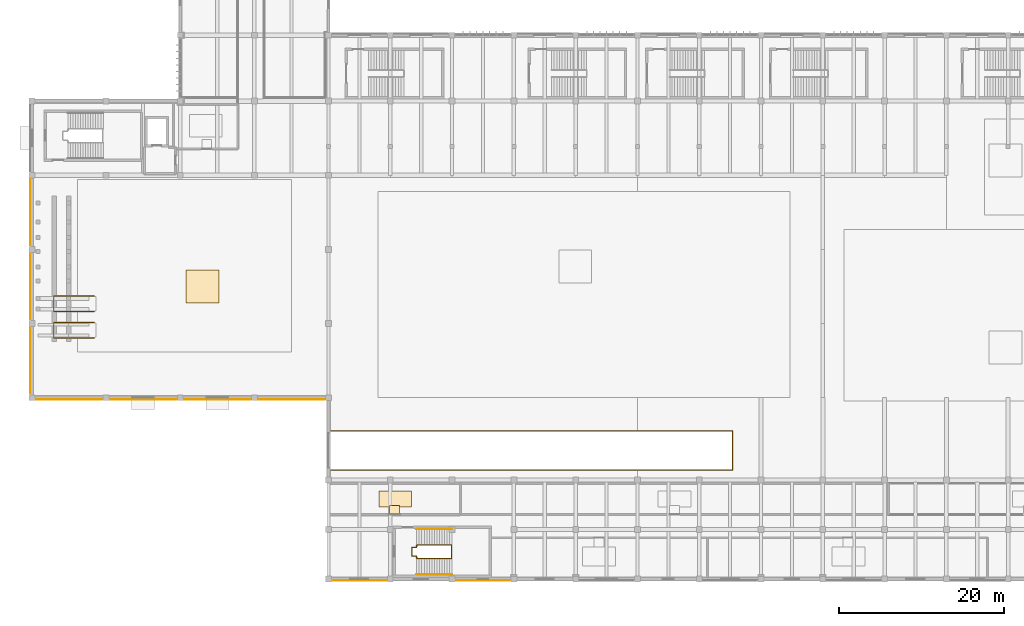
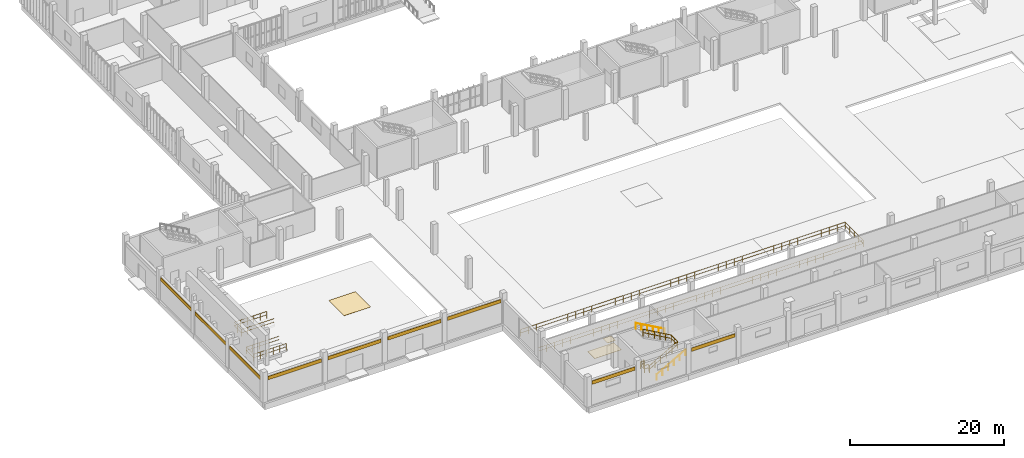
# One storey, part 60 of 72: 12 coverings, 7 railings.
"""IFC4 building model written with IfcOpenShell, lengths in metres."""

from ifc_helpers import new_model, si_unit, direction, frame, origin, origin_2d, place, context, subcontext, project, spatial, rectangle, circle, extrude, material, layer, layer_set, type_object, element, save


model = new_model("IFC4")

# Units and contexts
model_context = context("Model", 3, precision=1e-05, world=origin(), true_north=direction((0.0, 1.0)))
body_context = subcontext(model_context, "Body", "Model", "MODEL_VIEW")
ifc_project = project(units=[si_unit("LENGTHUNIT", "METRE"), si_unit("AREAUNIT", "SQUARE_METRE"), si_unit("VOLUMEUNIT", "CUBIC_METRE"), si_unit("PLANEANGLEUNIT", "RADIAN"), si_unit("MASSUNIT", "GRAM", prefix="KILO")], contexts=[model_context])

# Site, building, storey
site_placement = place(None, origin())
site = spatial("IfcSite", under=ifc_project, at=site_placement, CompositionType="ELEMENT")
building_placement = place(site_placement, origin())
building = spatial("IfcBuilding", under=site, at=building_placement, Name="Vourika Railside Aquatics Centre", CompositionType="ELEMENT")
storey_placement = place(building_placement, origin())
storey = spatial("IfcBuildingStorey", under=building, at=storey_placement, Name="L00", CompositionType="ELEMENT", Elevation=0.0)

# Coverings
ifc_material_1 = material(Name="Perforated moisture-resistant acoustic gypsum ceiling")
ifc_layer_1 = layer(ifc_material_1, 0.02490234375, Name="COV-CEIL-25")
ifc_layer_set_1 = layer_set([ifc_layer_1], Name="Perforated moisture-resistant acoustic gypsum ceiling")
covering_type_1 = type_object("IfcCoveringType", Name="COV-CEIL-25", PredefinedType="CEILING", material=ifc_layer_set_1)
covering_1_placement = place(storey_placement, frame((44.0224609375, 8.320068359375, 2.637451171875), z_axis=(0.0, 0.0, 1.0), x_axis=(1.0, 0.0, 0.0)))
element("IfcCovering", 1, at=covering_1_placement, inside=storey, type_object=covering_type_1, Name="Lifeguard Station and Pool Equipment Store Acoustic Ceiling Panel", PredefinedType="CEILING", context=body_context, shape_type="SweptSolid", body=[
    extrude(rectangle(XDim=1.199951171875, YDim=1.199951171875, at=origin_2d()), origin(), (0.0, 0.0, 1.0), 0.02490234375),
])
ifc_material_2 = material(Name="Bronze-anodized aluminium rainscreen", Category="aluminium")
ifc_layer_2 = layer(ifc_material_2, 0.044921875, Name="COV-CLAD-45")
ifc_layer_set_2 = layer_set([ifc_layer_2], Name="Bronze-anodized aluminium rainscreen")
covering_type_2 = type_object("IfcCoveringType", Name="COV-CLAD-45", PredefinedType="CLADDING", material=ifc_layer_set_2)
for number, where, z_axis, x_axis, name in (
    (2, (-0.2099609375, 26.5, 3.10498046875), (0.0, 0.0, 1.0), (0.0, -1.0, 0.0), "Perforated Bronze Rainscreen Band CL-009"),
    (3, (-0.2099609375, 35.5, 3.10498046875), (0.0, 0.0, 1.0), (0.0, -1.0, 0.0), "Perforated Bronze Rainscreen Band CL-010"),
    (4, (-0.2099609375, 44.5, 3.10498046875), (0.0, 0.0, 1.0), (0.0, -1.0, 0.0), "Perforated Bronze Rainscreen Band CL-011"),
    (5, (4.5, 21.7900390625, 3.30517578125), (0.0, 0.0, 1.0), (1.0, 0.0, 0.0), "Perforated Bronze Rainscreen Band CL-013"),
    (6, (13.5, 21.7900390625, 3.30517578125), (0.0, 0.0, 1.0), (1.0, 0.0, 0.0), "Perforated Bronze Rainscreen Band CL-014"),
    (7, (22.5, 21.7900390625, 3.30517578125), (0.0, 0.0, 1.0), (1.0, 0.0, 0.0), "Perforated Bronze Rainscreen Band CL-015"),
    (8, (31.5, 21.7900390625, 3.30517578125), (0.0, 0.0, 1.0), (1.0, 0.0, 0.0), "Perforated Bronze Rainscreen Band CL-016"),
):
    element("IfcCovering", number, at=place(storey_placement, frame(where, z_axis=z_axis, x_axis=x_axis)), inside=storey, type_object=covering_type_2, Name=name, PredefinedType="CLADDING", context=body_context, shape_type="SweptSolid", body=[
        extrude(rectangle(XDim=8.0, YDim=0.044921875, at=origin_2d()), origin(), (0.0, 0.0, 1.0), 0.550048828125),
    ])
for number, where, z_axis, x_axis, name in (
    (9, (39.75, -0.18994140625, 3.30517578125), (0.0, 0.0, 1.0), (1.0, 0.0, 0.0), "Perforated Bronze Rainscreen Band CL-024"),
    (10, (54.75, -0.18994140625, 3.30517578125), (0.0, 0.0, 1.0), (1.0, 0.0, 0.0), "Perforated Bronze Rainscreen Band CL-025"),
):
    element("IfcCovering", number, at=place(storey_placement, frame(where, z_axis=z_axis, x_axis=x_axis)), inside=storey, type_object=covering_type_2, Name=name, PredefinedType="CLADDING", context=body_context, shape_type="SweptSolid", body=[
        extrude(rectangle(XDim=6.5, YDim=0.044921875, at=origin_2d()), origin(), (0.0, 0.0, 1.0), 0.550048828125),
    ])
ifc_material_3 = material(Name="Slip-resistant aqua ceramic sports flooring")
ifc_layer_3 = layer(ifc_material_3, 0.02001953125, Name="COV-FLOR-20")
ifc_layer_set_3 = layer_set([ifc_layer_3], Name="Slip-resistant aqua ceramic sports flooring")
covering_type_3 = type_object("IfcCoveringType", Name="COV-FLOR-20", PredefinedType="FLOORING", material=ifc_layer_set_3)
covering_2_placement = place(storey_placement, frame((20.699951171875, 35.5, 0.0), z_axis=(0.0, 0.0, 1.0), x_axis=(1.0, 0.0, 0.0)))
element("IfcCovering", 11, at=covering_2_placement, inside=storey, type_object=covering_type_3, Name="25 m Diving Well Hall Sports Flooring Panel", PredefinedType="FLOORING", context=body_context, shape_type="SweptSolid", body=[
    extrude(rectangle(XDim=4.0, YDim=4.0, at=origin_2d()), origin(), (0.0, 0.0, 1.0), 0.02001953125),
])
covering_3_placement = place(storey_placement, frame((44.10009765625, 9.699951171875, 0.0), z_axis=(0.0, 0.0, 1.0), x_axis=(1.0, 0.0, 0.0)))
element("IfcCovering", 12, at=covering_3_placement, inside=storey, type_object=covering_type_3, Name="Lifeguard Station and Pool Equipment Store Sports Flooring Panel", PredefinedType="FLOORING", context=body_context, shape_type="SweptSolid", body=[
    extrude(rectangle(XDim=4.0, YDim=1.89990234375, at=origin_2d()), origin(), (0.0, 0.0, 1.0), 0.02001953125),
])

# Railings
ifc_material_4 = material(Name="Duplex stainless steel EN 1.4462", Category="steel")
railing_type_1 = type_object("IfcRailingType", Name="RL-BAL-STL", PredefinedType="BALUSTRADE", material=ifc_material_4)
railing_1_placement = place(storey_placement, frame((36.219970703125, 13.239990234375, 0.0)))
element("IfcRailing", 13, at=railing_1_placement, inside=storey, type_object=railing_type_1, Name="Service Ramp Deck Opening Guard", PredefinedType="BALUSTRADE", context=body_context, shape_type="SweptSolid", body=[
    extrude(circle(Radius=0.02392578125, at=origin_2d()), frame((0.0, 0.0, 1.09619140625), z_axis=(1.0, 0.0, 0.0), x_axis=(0.0, 1.0, 0.0)), (0.0, 0.0, 1.0), 48.840087890625),
    extrude(circle(Radius=0.02392578125, at=origin_2d()), frame((0.0, 0.0, 0.56005859375), z_axis=(1.0, 0.0, 0.0), x_axis=(0.0, 1.0, 0.0)), (0.0, 0.0, 1.0), 48.840087890625),
    extrude(circle(Radius=0.02392578125, at=origin_2d()), frame((48.840087890625, 0.0, 1.09619140625), z_axis=(0.0, 1.0, 0.0), x_axis=(-1.0, 0.0, 0.0)), (0.0, 0.0, 1.0), 4.719970703125),
    extrude(circle(Radius=0.02392578125, at=origin_2d()), frame((48.840087890625, 0.0, 0.56005859375), z_axis=(0.0, 1.0, 0.0), x_axis=(-1.0, 0.0, 0.0)), (0.0, 0.0, 1.0), 4.719970703125),
    extrude(circle(Radius=0.02392578125, at=origin_2d()), frame((48.840087890625, 4.719970703125, 1.09619140625), z_axis=(-1.0, 0.0, 0.0), x_axis=(0.0, -1.0, 0.0)), (0.0, 0.0, 1.0), 48.840087890625),
    extrude(circle(Radius=0.02392578125, at=origin_2d()), frame((48.840087890625, 4.719970703125, 0.56005859375), z_axis=(-1.0, 0.0, 0.0), x_axis=(0.0, -1.0, 0.0)), (0.0, 0.0, 1.0), 48.840087890625),
    extrude(circle(Radius=0.02099609375, at=origin_2d()), origin(), (0.0, 0.0, 1.0), 1.072021484375),
    extrude(circle(Radius=0.02099609375, at=origin_2d()), frame((1.191162109375, 0.0, 0.0)), (0.0, 0.0, 1.0), 1.072021484375),
    extrude(circle(Radius=0.02099609375, at=origin_2d()), frame((2.38232421875, 0.0, 0.0)), (0.0, 0.0, 1.0), 1.072021484375),
    extrude(circle(Radius=0.02099609375, at=origin_2d()), frame((3.57373046875, 0.0, 0.0)), (0.0, 0.0, 1.0), 1.072021484375),
    extrude(circle(Radius=0.02099609375, at=origin_2d()), frame((4.764892578125, 0.0, 0.0)), (0.0, 0.0, 1.0), 1.072021484375),
    extrude(circle(Radius=0.02099609375, at=origin_2d()), frame((5.9560546875, 0.0, 0.0)), (0.0, 0.0, 1.0), 1.072021484375),
    extrude(circle(Radius=0.02099609375, at=origin_2d()), frame((7.147216796875, 0.0, 0.0)), (0.0, 0.0, 1.0), 1.072021484375),
    extrude(circle(Radius=0.02099609375, at=origin_2d()), frame((8.338623046875, 0.0, 0.0)), (0.0, 0.0, 1.0), 1.072021484375),
    extrude(circle(Radius=0.02099609375, at=origin_2d()), frame((9.52978515625, 0.0, 0.0)), (0.0, 0.0, 1.0), 1.072021484375),
    extrude(circle(Radius=0.02099609375, at=origin_2d()), frame((10.720947265625, 0.0, 0.0)), (0.0, 0.0, 1.0), 1.072021484375),
    extrude(circle(Radius=0.02099609375, at=origin_2d()), frame((11.912109375, 0.0, 0.0)), (0.0, 0.0, 1.0), 1.072021484375),
    extrude(circle(Radius=0.02099609375, at=origin_2d()), frame((13.103515625, 0.0, 0.0)), (0.0, 0.0, 1.0), 1.072021484375),
    extrude(circle(Radius=0.02099609375, at=origin_2d()), frame((14.294677734375, 0.0, 0.0)), (0.0, 0.0, 1.0), 1.072021484375),
    extrude(circle(Radius=0.02099609375, at=origin_2d()), frame((15.48583984375, 0.0, 0.0)), (0.0, 0.0, 1.0), 1.072021484375),
    extrude(circle(Radius=0.02099609375, at=origin_2d()), frame((16.677001953125, 0.0, 0.0)), (0.0, 0.0, 1.0), 1.072021484375),
    extrude(circle(Radius=0.02099609375, at=origin_2d()), frame((17.868408203125, 0.0, 0.0)), (0.0, 0.0, 1.0), 1.072021484375),
    extrude(circle(Radius=0.02099609375, at=origin_2d()), frame((19.0595703125, 0.0, 0.0)), (0.0, 0.0, 1.0), 1.072021484375),
    extrude(circle(Radius=0.02099609375, at=origin_2d()), frame((20.250732421875, 0.0, 0.0)), (0.0, 0.0, 1.0), 1.072021484375),
    extrude(circle(Radius=0.02099609375, at=origin_2d()), frame((21.44189453125, 0.0, 0.0)), (0.0, 0.0, 1.0), 1.072021484375),
    extrude(circle(Radius=0.02099609375, at=origin_2d()), frame((22.63330078125, 0.0, 0.0)), (0.0, 0.0, 1.0), 1.072021484375),
    extrude(circle(Radius=0.02099609375, at=origin_2d()), frame((23.824462890625, 0.0, 0.0)), (0.0, 0.0, 1.0), 1.072021484375),
    extrude(circle(Radius=0.02099609375, at=origin_2d()), frame((25.015625, 0.0, 0.0)), (0.0, 0.0, 1.0), 1.072021484375),
    extrude(circle(Radius=0.02099609375, at=origin_2d()), frame((26.206787109375, 0.0, 0.0)), (0.0, 0.0, 1.0), 1.072021484375),
    extrude(circle(Radius=0.02099609375, at=origin_2d()), frame((27.398193359375, 0.0, 0.0)), (0.0, 0.0, 1.0), 1.072021484375),
    extrude(circle(Radius=0.02099609375, at=origin_2d()), frame((28.58935546875, 0.0, 0.0)), (0.0, 0.0, 1.0), 1.072021484375),
    extrude(circle(Radius=0.02099609375, at=origin_2d()), frame((29.780517578125, 0.0, 0.0)), (0.0, 0.0, 1.0), 1.072021484375),
    extrude(circle(Radius=0.02099609375, at=origin_2d()), frame((30.9716796875, 0.0, 0.0)), (0.0, 0.0, 1.0), 1.072021484375),
    extrude(circle(Radius=0.02099609375, at=origin_2d()), frame((32.1630859375, 0.0, 0.0)), (0.0, 0.0, 1.0), 1.072021484375),
    extrude(circle(Radius=0.02099609375, at=origin_2d()), frame((33.354248046875, 0.0, 0.0)), (0.0, 0.0, 1.0), 1.072021484375),
    extrude(circle(Radius=0.02099609375, at=origin_2d()), frame((34.54541015625, 0.0, 0.0)), (0.0, 0.0, 1.0), 1.072021484375),
    extrude(circle(Radius=0.02099609375, at=origin_2d()), frame((35.736572265625, 0.0, 0.0)), (0.0, 0.0, 1.0), 1.072021484375),
    extrude(circle(Radius=0.02099609375, at=origin_2d()), frame((36.927978515625, 0.0, 0.0)), (0.0, 0.0, 1.0), 1.072021484375),
    extrude(circle(Radius=0.02099609375, at=origin_2d()), frame((38.119140625, 0.0, 0.0)), (0.0, 0.0, 1.0), 1.072021484375),
    extrude(circle(Radius=0.02099609375, at=origin_2d()), frame((39.310302734375, 0.0, 0.0)), (0.0, 0.0, 1.0), 1.072021484375),
    extrude(circle(Radius=0.02099609375, at=origin_2d()), frame((40.50146484375, 0.0, 0.0)), (0.0, 0.0, 1.0), 1.072021484375),
    extrude(circle(Radius=0.02099609375, at=origin_2d()), frame((41.69287109375, 0.0, 0.0)), (0.0, 0.0, 1.0), 1.072021484375),
    extrude(circle(Radius=0.02099609375, at=origin_2d()), frame((42.884033203125, 0.0, 0.0)), (0.0, 0.0, 1.0), 1.072021484375),
    extrude(circle(Radius=0.02099609375, at=origin_2d()), frame((44.0751953125, 0.0, 0.0)), (0.0, 0.0, 1.0), 1.072021484375),
    extrude(circle(Radius=0.02099609375, at=origin_2d()), frame((45.266357421875, 0.0, 0.0)), (0.0, 0.0, 1.0), 1.072021484375),
    extrude(circle(Radius=0.02099609375, at=origin_2d()), frame((46.457763671875, 0.0, 0.0)), (0.0, 0.0, 1.0), 1.072021484375),
    extrude(circle(Radius=0.02099609375, at=origin_2d()), frame((47.64892578125, 0.0, 0.0)), (0.0, 0.0, 1.0), 1.072021484375),
    extrude(circle(Radius=0.02099609375, at=origin_2d()), frame((48.840087890625, 0.0, 0.0)), (0.0, 0.0, 1.0), 1.072021484375),
    extrude(circle(Radius=0.02099609375, at=origin_2d()), frame((48.840087890625, 1.179931640625, 0.0)), (0.0, 0.0, 1.0), 1.072021484375),
    extrude(circle(Radius=0.02099609375, at=origin_2d()), frame((48.840087890625, 2.35986328125, 0.0)), (0.0, 0.0, 1.0), 1.072021484375),
    extrude(circle(Radius=0.02099609375, at=origin_2d()), frame((48.840087890625, 3.5400390625, 0.0)), (0.0, 0.0, 1.0), 1.072021484375),
    extrude(circle(Radius=0.02099609375, at=origin_2d()), frame((48.840087890625, 4.719970703125, 0.0)), (0.0, 0.0, 1.0), 1.072021484375),
    extrude(circle(Radius=0.02099609375, at=origin_2d()), frame((47.64892578125, 4.719970703125, 0.0)), (0.0, 0.0, 1.0), 1.072021484375),
    extrude(circle(Radius=0.02099609375, at=origin_2d()), frame((46.457763671875, 4.719970703125, 0.0)), (0.0, 0.0, 1.0), 1.072021484375),
    extrude(circle(Radius=0.02099609375, at=origin_2d()), frame((45.266357421875, 4.719970703125, 0.0)), (0.0, 0.0, 1.0), 1.072021484375),
    extrude(circle(Radius=0.02099609375, at=origin_2d()), frame((44.0751953125, 4.719970703125, 0.0)), (0.0, 0.0, 1.0), 1.072021484375),
    extrude(circle(Radius=0.02099609375, at=origin_2d()), frame((42.884033203125, 4.719970703125, 0.0)), (0.0, 0.0, 1.0), 1.072021484375),
    extrude(circle(Radius=0.02099609375, at=origin_2d()), frame((41.69287109375, 4.719970703125, 0.0)), (0.0, 0.0, 1.0), 1.072021484375),
    extrude(circle(Radius=0.02099609375, at=origin_2d()), frame((40.50146484375, 4.719970703125, 0.0)), (0.0, 0.0, 1.0), 1.072021484375),
    extrude(circle(Radius=0.02099609375, at=origin_2d()), frame((39.310302734375, 4.719970703125, 0.0)), (0.0, 0.0, 1.0), 1.072021484375),
    extrude(circle(Radius=0.02099609375, at=origin_2d()), frame((38.119140625, 4.719970703125, 0.0)), (0.0, 0.0, 1.0), 1.072021484375),
    extrude(circle(Radius=0.02099609375, at=origin_2d()), frame((36.927978515625, 4.719970703125, 0.0)), (0.0, 0.0, 1.0), 1.072021484375),
    extrude(circle(Radius=0.02099609375, at=origin_2d()), frame((35.736572265625, 4.719970703125, 0.0)), (0.0, 0.0, 1.0), 1.072021484375),
    extrude(circle(Radius=0.02099609375, at=origin_2d()), frame((34.54541015625, 4.719970703125, 0.0)), (0.0, 0.0, 1.0), 1.072021484375),
    extrude(circle(Radius=0.02099609375, at=origin_2d()), frame((33.354248046875, 4.719970703125, 0.0)), (0.0, 0.0, 1.0), 1.072021484375),
    extrude(circle(Radius=0.02099609375, at=origin_2d()), frame((32.1630859375, 4.719970703125, 0.0)), (0.0, 0.0, 1.0), 1.072021484375),
    extrude(circle(Radius=0.02099609375, at=origin_2d()), frame((30.9716796875, 4.719970703125, 0.0)), (0.0, 0.0, 1.0), 1.072021484375),
    extrude(circle(Radius=0.02099609375, at=origin_2d()), frame((29.780517578125, 4.719970703125, 0.0)), (0.0, 0.0, 1.0), 1.072021484375),
    extrude(circle(Radius=0.02099609375, at=origin_2d()), frame((28.58935546875, 4.719970703125, 0.0)), (0.0, 0.0, 1.0), 1.072021484375),
    extrude(circle(Radius=0.02099609375, at=origin_2d()), frame((27.398193359375, 4.719970703125, 0.0)), (0.0, 0.0, 1.0), 1.072021484375),
    extrude(circle(Radius=0.02099609375, at=origin_2d()), frame((26.206787109375, 4.719970703125, 0.0)), (0.0, 0.0, 1.0), 1.072021484375),
    extrude(circle(Radius=0.02099609375, at=origin_2d()), frame((25.015625, 4.719970703125, 0.0)), (0.0, 0.0, 1.0), 1.072021484375),
    extrude(circle(Radius=0.02099609375, at=origin_2d()), frame((23.824462890625, 4.719970703125, 0.0)), (0.0, 0.0, 1.0), 1.072021484375),
    extrude(circle(Radius=0.02099609375, at=origin_2d()), frame((22.63330078125, 4.719970703125, 0.0)), (0.0, 0.0, 1.0), 1.072021484375),
    extrude(circle(Radius=0.02099609375, at=origin_2d()), frame((21.44189453125, 4.719970703125, 0.0)), (0.0, 0.0, 1.0), 1.072021484375),
    extrude(circle(Radius=0.02099609375, at=origin_2d()), frame((20.250732421875, 4.719970703125, 0.0)), (0.0, 0.0, 1.0), 1.072021484375),
    extrude(circle(Radius=0.02099609375, at=origin_2d()), frame((19.0595703125, 4.719970703125, 0.0)), (0.0, 0.0, 1.0), 1.072021484375),
    extrude(circle(Radius=0.02099609375, at=origin_2d()), frame((17.868408203125, 4.719970703125, 0.0)), (0.0, 0.0, 1.0), 1.072021484375),
    extrude(circle(Radius=0.02099609375, at=origin_2d()), frame((16.677001953125, 4.719970703125, 0.0)), (0.0, 0.0, 1.0), 1.072021484375),
    extrude(circle(Radius=0.02099609375, at=origin_2d()), frame((15.48583984375, 4.719970703125, 0.0)), (0.0, 0.0, 1.0), 1.072021484375),
    extrude(circle(Radius=0.02099609375, at=origin_2d()), frame((14.294677734375, 4.719970703125, 0.0)), (0.0, 0.0, 1.0), 1.072021484375),
    extrude(circle(Radius=0.02099609375, at=origin_2d()), frame((13.103515625, 4.719970703125, 0.0)), (0.0, 0.0, 1.0), 1.072021484375),
    extrude(circle(Radius=0.02099609375, at=origin_2d()), frame((11.912109375, 4.719970703125, 0.0)), (0.0, 0.0, 1.0), 1.072021484375),
    extrude(circle(Radius=0.02099609375, at=origin_2d()), frame((10.720947265625, 4.719970703125, 0.0)), (0.0, 0.0, 1.0), 1.072021484375),
    extrude(circle(Radius=0.02099609375, at=origin_2d()), frame((9.52978515625, 4.719970703125, 0.0)), (0.0, 0.0, 1.0), 1.072021484375),
    extrude(circle(Radius=0.02099609375, at=origin_2d()), frame((8.338623046875, 4.719970703125, 0.0)), (0.0, 0.0, 1.0), 1.072021484375),
    extrude(circle(Radius=0.02099609375, at=origin_2d()), frame((7.147216796875, 4.719970703125, 0.0)), (0.0, 0.0, 1.0), 1.072021484375),
    extrude(circle(Radius=0.02099609375, at=origin_2d()), frame((5.9560546875, 4.719970703125, 0.0)), (0.0, 0.0, 1.0), 1.072021484375),
    extrude(circle(Radius=0.02099609375, at=origin_2d()), frame((4.764892578125, 4.719970703125, 0.0)), (0.0, 0.0, 1.0), 1.072021484375),
    extrude(circle(Radius=0.02099609375, at=origin_2d()), frame((3.57373046875, 4.719970703125, 0.0)), (0.0, 0.0, 1.0), 1.072021484375),
    extrude(circle(Radius=0.02099609375, at=origin_2d()), frame((2.38232421875, 4.719970703125, 0.0)), (0.0, 0.0, 1.0), 1.072021484375),
    extrude(circle(Radius=0.02099609375, at=origin_2d()), frame((1.191162109375, 4.719970703125, 0.0)), (0.0, 0.0, 1.0), 1.072021484375),
    extrude(circle(Radius=0.02099609375, at=origin_2d()), frame((0.0, 4.719970703125, 0.0)), (0.0, 0.0, 1.0), 1.072021484375),
])
railing_2_placement = place(storey_placement, frame((7.550048828125, 29.25, 1.0)))
element("IfcRailing", 14, at=railing_2_placement, inside=storey, type_object=railing_type_1, Name="Diving Platform 1.0 m Safety Guardrail", PredefinedType="BALUSTRADE", context=body_context, shape_type="SweptSolid", body=[
    extrude(circle(Radius=0.02392578125, at=origin_2d()), frame((0.0, 0.0, 1.09619140625), z_axis=(-1.0, 0.0, 0.0), x_axis=(0.0, -1.0, 0.0)), (0.0, 0.0, 1.0), 4.900146484375),
    extrude(circle(Radius=0.02392578125, at=origin_2d()), frame((0.0, 0.0, 0.56005859375), z_axis=(-1.0, 0.0, 0.0), x_axis=(0.0, -1.0, 0.0)), (0.0, 0.0, 1.0), 4.900146484375),
    extrude(circle(Radius=0.02392578125, at=origin_2d()), frame((-4.900146484375, 0.0, 1.09619140625), z_axis=(0.0, 1.0, 0.0), x_axis=(-1.0, 0.0, 0.0)), (0.0, 0.0, 1.0), 1.89990234375),
    extrude(circle(Radius=0.02392578125, at=origin_2d()), frame((-4.900146484375, 0.0, 0.56005859375), z_axis=(0.0, 1.0, 0.0), x_axis=(-1.0, 0.0, 0.0)), (0.0, 0.0, 1.0), 1.89990234375),
    extrude(circle(Radius=0.02392578125, at=origin_2d()), frame((-4.900146484375, 1.89990234375, 1.09619140625), z_axis=(1.0, 0.0, 0.0), x_axis=(0.0, 1.0, 0.0)), (0.0, 0.0, 1.0), 4.900146484375),
    extrude(circle(Radius=0.02392578125, at=origin_2d()), frame((-4.900146484375, 1.89990234375, 0.56005859375), z_axis=(1.0, 0.0, 0.0), x_axis=(0.0, 1.0, 0.0)), (0.0, 0.0, 1.0), 4.900146484375),
    extrude(circle(Radius=0.02099609375, at=origin_2d()), origin(), (0.0, 0.0, 1.0), 1.072021484375),
    extrude(circle(Radius=0.02099609375, at=origin_2d()), frame((-0.97998046875, 0.0, 0.0)), (0.0, 0.0, 1.0), 1.072021484375),
    extrude(circle(Radius=0.02099609375, at=origin_2d()), frame((-1.9599609375, 0.0, 0.0)), (0.0, 0.0, 1.0), 1.072021484375),
    extrude(circle(Radius=0.02099609375, at=origin_2d()), frame((-2.940185546875, 0.0, 0.0)), (0.0, 0.0, 1.0), 1.072021484375),
    extrude(circle(Radius=0.02099609375, at=origin_2d()), frame((-3.920166015625, 0.0, 0.0)), (0.0, 0.0, 1.0), 1.072021484375),
    extrude(circle(Radius=0.02099609375, at=origin_2d()), frame((-4.900146484375, 0.0, 0.0)), (0.0, 0.0, 1.0), 1.072021484375),
    extrude(circle(Radius=0.02099609375, at=origin_2d()), frame((-4.900146484375, 0.949951171875, 0.0)), (0.0, 0.0, 1.0), 1.072021484375),
    extrude(circle(Radius=0.02099609375, at=origin_2d()), frame((-4.900146484375, 1.89990234375, 0.0)), (0.0, 0.0, 1.0), 1.072021484375),
    extrude(circle(Radius=0.02099609375, at=origin_2d()), frame((-3.920166015625, 1.89990234375, 0.0)), (0.0, 0.0, 1.0), 1.072021484375),
    extrude(circle(Radius=0.02099609375, at=origin_2d()), frame((-2.940185546875, 1.89990234375, 0.0)), (0.0, 0.0, 1.0), 1.072021484375),
    extrude(circle(Radius=0.02099609375, at=origin_2d()), frame((-1.9599609375, 1.89990234375, 0.0)), (0.0, 0.0, 1.0), 1.072021484375),
    extrude(circle(Radius=0.02099609375, at=origin_2d()), frame((-0.97998046875, 1.89990234375, 0.0)), (0.0, 0.0, 1.0), 1.072021484375),
    extrude(circle(Radius=0.02099609375, at=origin_2d()), frame((0.0, 1.89990234375, 0.0)), (0.0, 0.0, 1.0), 1.072021484375),
])
railing_3_placement = place(storey_placement, frame((7.550048828125, 32.449951171875, 3.0)))
element("IfcRailing", 15, at=railing_3_placement, inside=storey, type_object=railing_type_1, Name="Diving Platform 3.0 m Safety Guardrail", PredefinedType="BALUSTRADE", context=body_context, shape_type="SweptSolid", body=[
    extrude(circle(Radius=0.02392578125, at=origin_2d()), frame((0.0, 0.0, 1.09619140625), z_axis=(-1.0, 0.0, 0.0), x_axis=(0.0, -1.0, 0.0)), (0.0, 0.0, 1.0), 4.900146484375),
    extrude(circle(Radius=0.02392578125, at=origin_2d()), frame((0.0, 0.0, 0.56005859375), z_axis=(-1.0, 0.0, 0.0), x_axis=(0.0, -1.0, 0.0)), (0.0, 0.0, 1.0), 4.900146484375),
    extrude(circle(Radius=0.02392578125, at=origin_2d()), frame((-4.900146484375, 0.0, 1.09619140625), z_axis=(0.0, 1.0, 0.0), x_axis=(-1.0, 0.0, 0.0)), (0.0, 0.0, 1.0), 1.900146484375),
    extrude(circle(Radius=0.02392578125, at=origin_2d()), frame((-4.900146484375, 0.0, 0.56005859375), z_axis=(0.0, 1.0, 0.0), x_axis=(-1.0, 0.0, 0.0)), (0.0, 0.0, 1.0), 1.900146484375),
    extrude(circle(Radius=0.02392578125, at=origin_2d()), frame((-4.900146484375, 1.900146484375, 1.09619140625), z_axis=(1.0, 0.0, 0.0), x_axis=(0.0, 1.0, 0.0)), (0.0, 0.0, 1.0), 4.900146484375),
    extrude(circle(Radius=0.02392578125, at=origin_2d()), frame((-4.900146484375, 1.900146484375, 0.56005859375), z_axis=(1.0, 0.0, 0.0), x_axis=(0.0, 1.0, 0.0)), (0.0, 0.0, 1.0), 4.900146484375),
    extrude(circle(Radius=0.02099609375, at=origin_2d()), origin(), (0.0, 0.0, 1.0), 1.072021484375),
    extrude(circle(Radius=0.02099609375, at=origin_2d()), frame((-0.97998046875, 0.0, 0.0)), (0.0, 0.0, 1.0), 1.072021484375),
    extrude(circle(Radius=0.02099609375, at=origin_2d()), frame((-1.9599609375, 0.0, 0.0)), (0.0, 0.0, 1.0), 1.072021484375),
    extrude(circle(Radius=0.02099609375, at=origin_2d()), frame((-2.940185546875, 0.0, 0.0)), (0.0, 0.0, 1.0), 1.072021484375),
    extrude(circle(Radius=0.02099609375, at=origin_2d()), frame((-3.920166015625, 0.0, 0.0)), (0.0, 0.0, 1.0), 1.072021484375),
    extrude(circle(Radius=0.02099609375, at=origin_2d()), frame((-4.900146484375, 0.0, 0.0)), (0.0, 0.0, 1.0), 1.072021484375),
    extrude(circle(Radius=0.02099609375, at=origin_2d()), frame((-4.900146484375, 0.9501953125, 0.0)), (0.0, 0.0, 1.0), 1.072021484375),
    extrude(circle(Radius=0.02099609375, at=origin_2d()), frame((-4.900146484375, 1.900146484375, 0.0)), (0.0, 0.0, 1.0), 1.072021484375),
    extrude(circle(Radius=0.02099609375, at=origin_2d()), frame((-3.920166015625, 1.900146484375, 0.0)), (0.0, 0.0, 1.0), 1.072021484375),
    extrude(circle(Radius=0.02099609375, at=origin_2d()), frame((-2.940185546875, 1.900146484375, 0.0)), (0.0, 0.0, 1.0), 1.072021484375),
    extrude(circle(Radius=0.02099609375, at=origin_2d()), frame((-1.9599609375, 1.900146484375, 0.0)), (0.0, 0.0, 1.0), 1.072021484375),
    extrude(circle(Radius=0.02099609375, at=origin_2d()), frame((-0.97998046875, 1.900146484375, 0.0)), (0.0, 0.0, 1.0), 1.072021484375),
    extrude(circle(Radius=0.02099609375, at=origin_2d()), frame((0.0, 1.900146484375, 0.0)), (0.0, 0.0, 1.0), 1.072021484375),
])
railing_type_2 = type_object("IfcRailingType", Name="RL-HAND-920", PredefinedType="HANDRAIL", material=ifc_material_4)
railing_4_placement = place(storey_placement, frame((46.699951171875, 0.56005859375, 0.0)))
element("IfcRailing", 16, at=railing_4_placement, inside=storey, type_object=railing_type_2, Name="Protected Exit Stair Core ST11 Lower Wall Handrail (L00)", PredefinedType="HANDRAIL", context=body_context, shape_type="SweptSolid", body=[
    extrude(circle(Radius=0.02392578125, at=origin_2d()), frame((0.0, 0.0, 0.89599609375), z_axis=(0.873783640258, 0.0, 0.486314867157), x_axis=(0.0, 1.0, 0.0)), (0.0, 0.0, 1.0), 4.934814453125),
    extrude(circle(Radius=0.02099609375, at=origin_2d()), origin(), (0.0, 0.0, 1.0), 0.871826171875),
    extrude(circle(Radius=0.02099609375, at=origin_2d()), frame((0.8623046875, 0.0, 0.47998046875)), (0.0, 0.0, 1.0), 0.871826171875),
    extrude(circle(Radius=0.02099609375, at=origin_2d()), frame((1.724853515625, 0.0, 0.9599609375)), (0.0, 0.0, 1.0), 0.871826171875),
    extrude(circle(Radius=0.02099609375, at=origin_2d()), frame((2.587158203125, 0.0, 1.43994140625)), (0.0, 0.0, 1.0), 0.871826171875),
    extrude(circle(Radius=0.02099609375, at=origin_2d()), frame((3.44970703125, 0.0, 1.919921875)), (0.0, 0.0, 1.0), 0.871826171875),
    extrude(circle(Radius=0.02099609375, at=origin_2d()), frame((4.31201171875, 0.0, 2.39990234375)), (0.0, 0.0, 1.0), 0.871826171875),
])
railing_5_placement = place(storey_placement, frame((51.011962890625, 6.0400390625, 2.39990234375)))
element("IfcRailing", 17, at=railing_5_placement, inside=storey, type_object=railing_type_2, Name="Protected Exit Stair Core ST11 Upper Wall Handrail (L00)", PredefinedType="HANDRAIL", context=body_context, shape_type="SweptSolid", body=[
    extrude(circle(Radius=0.02392578125, at=origin_2d()), frame((0.0, 0.0, 0.89599609375), z_axis=(-0.873762617393, 0.0, 0.486352637956), x_axis=(0.0, -1.0, 0.0)), (0.0, 0.0, 1.0), 4.93505859375),
    extrude(circle(Radius=0.02099609375, at=origin_2d()), origin(), (0.0, 0.0, 1.0), 0.871826171875),
    extrude(circle(Radius=0.02099609375, at=origin_2d()), frame((-0.8623046875, 0.0, 0.47998046875)), (0.0, 0.0, 1.0), 0.871826171875),
    extrude(circle(Radius=0.02099609375, at=origin_2d()), frame((-1.724853515625, 0.0, 0.9599609375)), (0.0, 0.0, 1.0), 0.871826171875),
    extrude(circle(Radius=0.02099609375, at=origin_2d()), frame((-2.587158203125, 0.0, 1.440185546875)), (0.0, 0.0, 1.0), 0.871826171875),
    extrude(circle(Radius=0.02099609375, at=origin_2d()), frame((-3.44970703125, 0.0, 1.920166015625)), (0.0, 0.0, 1.0), 0.871826171875),
    extrude(circle(Radius=0.02099609375, at=origin_2d()), frame((-4.31201171875, 0.0, 2.400146484375)), (0.0, 0.0, 1.0), 0.871826171875),
])
railing_type_3 = type_object("IfcRailingType", Name="RL-STAIR-1120", PredefinedType="BALUSTRADE", material=ifc_material_4)
railing_6_placement = place(storey_placement, frame((46.699951171875, 2.550048828125, 0.0)))
element("IfcRailing", 18, at=railing_6_placement, inside=storey, type_object=railing_type_3, Name="Protected Exit Stair Core ST11 Well Edge Guard (L00)", PredefinedType="BALUSTRADE", context=body_context, shape_type="SweptSolid", body=[
    extrude(circle(Radius=0.02392578125, at=origin_2d()), frame((0.0, 0.0, 1.09619140625), z_axis=(0.0, 1.0, 0.0), x_axis=(-1.0, 0.0, 0.0)), (0.0, 0.0, 1.0), 0.25),
    extrude(circle(Radius=0.02392578125, at=origin_2d()), frame((0.0, 0.0, 0.56005859375), z_axis=(0.0, 1.0, 0.0), x_axis=(-1.0, 0.0, 0.0)), (0.0, 0.0, 1.0), 0.25),
    extrude(circle(Radius=0.02392578125, at=origin_2d()), frame((0.0, 0.25, 1.09619140625), z_axis=(-1.0, 0.0, 0.0), x_axis=(0.0, -1.0, 0.0)), (0.0, 0.0, 1.0), 0.570068359375),
    extrude(circle(Radius=0.02392578125, at=origin_2d()), frame((0.0, 0.25, 0.56005859375), z_axis=(-1.0, 0.0, 0.0), x_axis=(0.0, -1.0, 0.0)), (0.0, 0.0, 1.0), 0.570068359375),
    extrude(circle(Radius=0.02392578125, at=origin_2d()), frame((-0.570068359375, 0.25, 1.09619140625), z_axis=(0.0, 1.0, 0.0), x_axis=(-1.0, 0.0, 0.0)), (0.0, 0.0, 1.0), 1.0),
    extrude(circle(Radius=0.02392578125, at=origin_2d()), frame((-0.570068359375, 0.25, 0.56005859375), z_axis=(0.0, 1.0, 0.0), x_axis=(-1.0, 0.0, 0.0)), (0.0, 0.0, 1.0), 1.0),
    extrude(circle(Radius=0.02392578125, at=origin_2d()), frame((-0.570068359375, 1.25, 1.09619140625), z_axis=(1.0, 0.0, 0.0), x_axis=(0.0, 1.0, 0.0)), (0.0, 0.0, 1.0), 0.570068359375),
    extrude(circle(Radius=0.02392578125, at=origin_2d()), frame((-0.570068359375, 1.25, 0.56005859375), z_axis=(1.0, 0.0, 0.0), x_axis=(0.0, 1.0, 0.0)), (0.0, 0.0, 1.0), 0.570068359375),
    extrude(circle(Radius=0.02392578125, at=origin_2d()), frame((0.0, 1.25, 1.09619140625), z_axis=(0.0, 1.0, 0.0), x_axis=(-1.0, 0.0, 0.0)), (0.0, 0.0, 1.0), 0.25),
    extrude(circle(Radius=0.02392578125, at=origin_2d()), frame((0.0, 1.25, 0.56005859375), z_axis=(0.0, 1.0, 0.0), x_axis=(-1.0, 0.0, 0.0)), (0.0, 0.0, 1.0), 0.25),
    extrude(circle(Radius=0.02099609375, at=origin_2d()), origin(), (0.0, 0.0, 1.0), 1.072021484375),
    extrude(circle(Radius=0.02099609375, at=origin_2d()), frame((0.0, 0.25, 0.0)), (0.0, 0.0, 1.0), 1.072021484375),
    extrude(circle(Radius=0.02099609375, at=origin_2d()), frame((-0.570068359375, 0.25, 0.0)), (0.0, 0.0, 1.0), 1.072021484375),
    extrude(circle(Radius=0.02099609375, at=origin_2d()), frame((-0.570068359375, 1.25, 0.0)), (0.0, 0.0, 1.0), 1.072021484375),
    extrude(circle(Radius=0.02099609375, at=origin_2d()), frame((0.0, 1.25, 0.0)), (0.0, 0.0, 1.0), 1.072021484375),
    extrude(circle(Radius=0.02099609375, at=origin_2d()), frame((0.0, 1.5, 0.0)), (0.0, 0.0, 1.0), 1.072021484375),
])
railing_7_placement = place(storey_placement, frame((46.699951171875, 2.47998046875, 0.0)))
element("IfcRailing", 19, at=railing_7_placement, inside=storey, type_object=railing_type_3, Name="Protected Exit Stair Core ST11 Center Well Guard (L00)", PredefinedType="BALUSTRADE", context=body_context, shape_type="SweptSolid", body=[
    extrude(circle(Radius=0.02392578125, at=origin_2d()), frame((0.0, 0.0, 1.09619140625), z_axis=(0.868868469825, 0.0, 0.495043010397), x_axis=(0.0, 1.0, 0.0)), (0.0, 0.0, 1.0), 4.847900390625),
    extrude(circle(Radius=0.02392578125, at=origin_2d()), frame((0.0, 0.0, 0.56005859375), z_axis=(0.868868469825, 0.0, 0.495043010397), x_axis=(0.0, 1.0, 0.0)), (0.0, 0.0, 1.0), 4.847900390625),
    extrude(circle(Radius=0.02392578125, at=origin_2d()), frame((4.212158203125, 0.0, 3.49609375), z_axis=(0.0, 1.0, 0.0), x_axis=(-1.0, 0.0, 0.0)), (0.0, 0.0, 1.0), 1.64013671875),
    extrude(circle(Radius=0.02392578125, at=origin_2d()), frame((4.212158203125, 0.0, 2.9599609375), z_axis=(0.0, 1.0, 0.0), x_axis=(-1.0, 0.0, 0.0)), (0.0, 0.0, 1.0), 1.64013671875),
    extrude(circle(Radius=0.02392578125, at=origin_2d()), frame((4.212158203125, 1.64013671875, 3.49609375), z_axis=(-0.868846808141, 0.0, 0.495081027695), x_axis=(0.0, -1.0, 0.0)), (0.0, 0.0, 1.0), 4.847900390625),
    extrude(circle(Radius=0.02392578125, at=origin_2d()), frame((4.212158203125, 1.64013671875, 2.9599609375), z_axis=(-0.868846808141, 0.0, 0.495081027695), x_axis=(0.0, -1.0, 0.0)), (0.0, 0.0, 1.0), 4.847900390625),
    extrude(circle(Radius=0.02099609375, at=origin_2d()), origin(), (0.0, 0.0, 1.0), 1.072021484375),
    extrude(circle(Radius=0.02099609375, at=origin_2d()), frame((0.842529296875, 0.0, 0.47998046875)), (0.0, 0.0, 1.0), 1.072021484375),
    extrude(circle(Radius=0.02099609375, at=origin_2d()), frame((1.684814453125, 0.0, 0.9599609375)), (0.0, 0.0, 1.0), 1.072021484375),
    extrude(circle(Radius=0.02099609375, at=origin_2d()), frame((2.52734375, 0.0, 1.43994140625)), (0.0, 0.0, 1.0), 1.072021484375),
    extrude(circle(Radius=0.02099609375, at=origin_2d()), frame((3.36962890625, 0.0, 1.919921875)), (0.0, 0.0, 1.0), 1.072021484375),
    extrude(circle(Radius=0.02099609375, at=origin_2d()), frame((4.212158203125, 0.0, 2.39990234375)), (0.0, 0.0, 1.0), 1.072021484375),
    extrude(circle(Radius=0.02099609375, at=origin_2d()), frame((4.212158203125, 0.820068359375, 2.39990234375)), (0.0, 0.0, 1.0), 1.072021484375),
    extrude(circle(Radius=0.02099609375, at=origin_2d()), frame((4.212158203125, 1.64013671875, 2.39990234375)), (0.0, 0.0, 1.0), 1.072021484375),
    extrude(circle(Radius=0.02099609375, at=origin_2d()), frame((3.36962890625, 1.64013671875, 2.8798828125)), (0.0, 0.0, 1.0), 1.072021484375),
    extrude(circle(Radius=0.02099609375, at=origin_2d()), frame((2.52734375, 1.64013671875, 3.35986328125)), (0.0, 0.0, 1.0), 1.072021484375),
    extrude(circle(Radius=0.02099609375, at=origin_2d()), frame((1.684814453125, 1.64013671875, 3.840087890625)), (0.0, 0.0, 1.0), 1.072021484375),
    extrude(circle(Radius=0.02099609375, at=origin_2d()), frame((0.842529296875, 1.64013671875, 4.320068359375)), (0.0, 0.0, 1.0), 1.072021484375),
    extrude(circle(Radius=0.02099609375, at=origin_2d()), frame((0.0, 1.64013671875, 4.800048828125)), (0.0, 0.0, 1.0), 1.072021484375),
])

save(model, "model.ifc")
